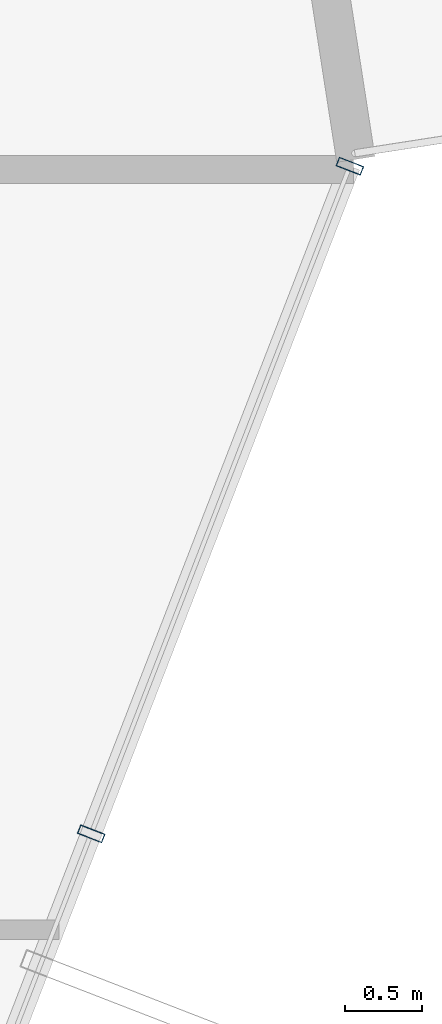
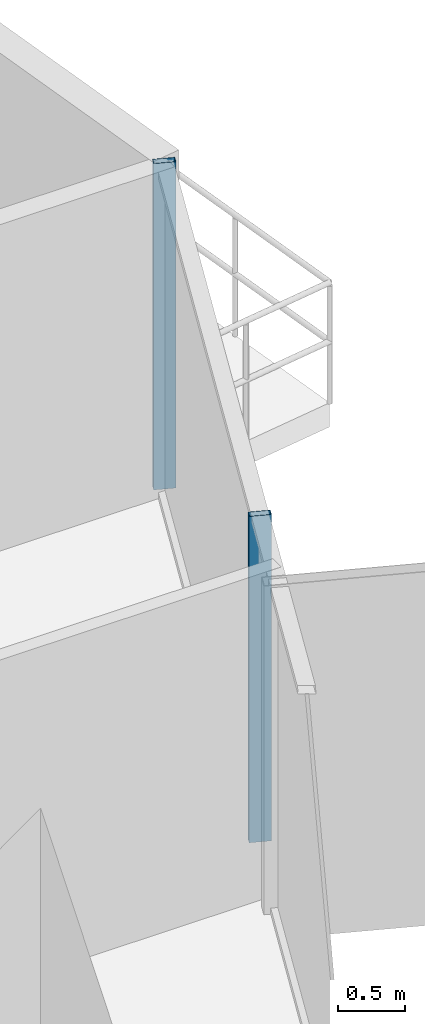
# One storey, part 18 of 37: 2 members, 1 element without a shape of its own.
"""IFC4 building model written with IfcOpenShell, lengths in metres."""

import ifcopenshell
import ifcopenshell.guid

model = None  # the IFC model being written
_history = None  # IfcOwnerHistory: only IFC2X3 demands one
_inside = {}  # id of a spatial element -> (the spatial element, [elements in it])
_under = {}  # id of a project, library or spatial element -> (it, [spatial elements below it])
_declared = {}  # id of a project -> (the project, [libraries it declares])
_typed = {}  # id of a type object -> (the type object, [elements of that type])
_made_of = {}  # id of a material, layer set ... -> (it, [elements and type objects made of it])


def new_model(schema):
    """Start an empty IFC model of exactly this schema.

    Asked for "IFC4X3", IfcOpenShell would pick the latest addendum, in which some entities
    have other attributes; the version numbers below select the first issue.
    IFC2X3 requires an IfcOwnerHistory on every rooted entity: one is made here for all.
    """
    global model, _history
    if schema == "IFC4X3":
        model = ifcopenshell.file(schema_version=(4, 3, 0, 0))
    else:
        model = ifcopenshell.file(schema=schema)
    _inside.clear()
    _under.clear()
    _declared.clear()
    _typed.clear()
    _made_of.clear()
    _history = None
    if model.schema == "IFC2X3":
        org = make("IfcOrganization", Name="unknown")
        user = make(
            "IfcPersonAndOrganization",
            ThePerson=make("IfcPerson", FamilyName="unknown"),
            TheOrganization=org,
        )
        app = make(
            "IfcApplication",
            ApplicationDeveloper=org,
            Version="unknown",
            ApplicationFullName="unknown",
            ApplicationIdentifier="unknown",
        )
        _history = make(
            "IfcOwnerHistory",
            OwningUser=user,
            OwningApplication=app,
            ChangeAction="ADDED",
            CreationDate=0,
        )
    return model


def make(cls, **values):
    """One entity of the class cls with the attributes given. An attribute that is None is left unset."""
    return model.create_entity(
        cls, **{name: value for name, value in values.items() if value is not None}
    )


def rooted(cls, **values):
    """An entity with a GlobalId (a new one), such as an element, a storey or a relation."""
    return make(cls, GlobalId=ifcopenshell.guid.new(), OwnerHistory=_history, **values)


def si_unit(unit_type, name, prefix=None):
    """IfcSIUnit, for example si_unit("LENGTHUNIT", "METRE", prefix="MILLI")."""
    return make("IfcSIUnit", UnitType=unit_type, Prefix=prefix, Name=name)


def assignment(units):
    """IfcUnitAssignment: the units of a project."""
    return None if units is None else make("IfcUnitAssignment", Units=units)


def point(xyz):
    """IfcCartesianPoint."""
    return None if xyz is None else make("IfcCartesianPoint", Coordinates=xyz)


def direction(xyz):
    """IfcDirection."""
    return None if xyz is None else make("IfcDirection", DirectionRatios=xyz)


def frame(location, z_axis=None, x_axis=None):
    """IfcAxis2Placement3D, a coordinate frame: its origin and axes. An axis left out is left unset."""
    return make(
        "IfcAxis2Placement3D",
        Location=point(location),
        Axis=direction(z_axis),
        RefDirection=direction(x_axis),
    )


def frame_2d(location, x_axis=None):
    """IfcAxis2Placement2D, a coordinate frame in the plane: its origin and x axis."""
    return make(
        "IfcAxis2Placement2D", Location=point(location), RefDirection=direction(x_axis)
    )


def origin():
    """The frame at (0, 0, 0) with its axes left unset."""
    return frame((0.0, 0.0, 0.0))


def origin_2d():
    """The frame at (0, 0) in the plane with its x axis left unset."""
    return frame_2d((0.0, 0.0))


def place(relative_to, where):
    """IfcLocalPlacement: puts the frame where relative to a parent placement (None: the world)."""
    return make(
        "IfcLocalPlacement", PlacementRelTo=relative_to, RelativePlacement=where
    )


def context(
    kind, dimensions, precision=None, world=None, true_north=None, identifier=None
):
    """IfcGeometricRepresentationContext, for example the 3D "Model" context."""
    return make(
        "IfcGeometricRepresentationContext",
        ContextIdentifier=identifier,
        ContextType=kind,
        CoordinateSpaceDimension=dimensions,
        Precision=precision,
        WorldCoordinateSystem=world,
        TrueNorth=true_north,
    )


def subcontext(parent, identifier, kind, view, scale=None):
    """IfcGeometricRepresentationSubContext, for example "Body" below "Model"."""
    return make(
        "IfcGeometricRepresentationSubContext",
        ContextIdentifier=identifier,
        ContextType=kind,
        ParentContext=parent,
        TargetScale=scale,
        TargetView=view,
    )


def project(units=None, contexts=None):
    """IfcProject with its units and contexts."""
    return rooted(
        "IfcProject",
        Name="project",
        RepresentationContexts=contexts,
        UnitsInContext=assignment(units),
    )


def spatial(cls, under=None, at=None, **own):
    """A site, building, storey or space (cls), placed at a placement, below another one or the project."""
    s = rooted(cls, ObjectPlacement=at, **own)
    if under is not None:
        _under.setdefault(under.id(), (under, []))[1].append(s)
    return s


def profile(cls, at=None, kind="AREA", **sizes):
    """A parametric profile (cls). Its sizes go by their IFC names, for example OverallWidth=200.0."""
    return make(cls, ProfileType=kind, Position=at, **sizes)


def hollow_rectangle(**sizes):
    """IfcRectangleHollowProfileDef."""
    return profile("IfcRectangleHollowProfileDef", **sizes)


def extrude(swept, where, along, depth):
    """IfcExtrudedAreaSolid: the profile swept, set in the frame where, extruded along a direction by depth."""
    return make(
        "IfcExtrudedAreaSolid",
        SweptArea=swept,
        Position=where,
        ExtrudedDirection=direction(along),
        Depth=depth,
    )


def shape(context_of_items, identifier, shape_type, items):
    """IfcShapeRepresentation: the items that make up one representation, for example the "Body"."""
    return make(
        "IfcShapeRepresentation",
        ContextOfItems=context_of_items,
        RepresentationIdentifier=identifier,
        RepresentationType=shape_type,
        Items=items,
    )


def source(mapping_origin, context_of_items, identifier, shape_type, items):
    """IfcRepresentationMap: a shape defined once, which mapped items show again and again."""
    return make(
        "IfcRepresentationMap",
        MappingOrigin=mapping_origin,
        MappedRepresentation=shape(context_of_items, identifier, shape_type, items),
    )


def transform(
    local_origin,
    x_axis=None,
    y_axis=None,
    z_axis=None,
    scale=None,
    scale2=None,
    scale3=None,
    uniform=True,
):
    """IfcCartesianTransformationOperator3D, or its non-uniform kind. x_axis, y_axis, z_axis: its Axis1, 2, 3."""
    if uniform:
        return make(
            "IfcCartesianTransformationOperator3D",
            Axis1=direction(x_axis),
            Axis2=direction(y_axis),
            LocalOrigin=point(local_origin),
            Scale=scale,
            Axis3=direction(z_axis),
        )
    return make(
        "IfcCartesianTransformationOperator3DnonUniform",
        Axis1=direction(x_axis),
        Axis2=direction(y_axis),
        LocalOrigin=point(local_origin),
        Scale=scale,
        Axis3=direction(z_axis),
        Scale2=scale2,
        Scale3=scale3,
    )


def mapped(mapping_source, mapping_target):
    """IfcMappedItem: shows the shape of a source again, moved by a transform."""
    return make(
        "IfcMappedItem", MappingSource=mapping_source, MappingTarget=mapping_target
    )


def material(Name=None, Category=None):
    """IfcMaterial."""
    return make("IfcMaterial", Name=Name, Category=Category)


def layer(
    of_material, thickness, ventilated=None, Name=None, Category=None, Priority=None
):
    """IfcMaterialLayer: one layer of a wall or slab, of a material (None: an air gap)."""
    return make(
        "IfcMaterialLayer",
        Material=of_material,
        LayerThickness=thickness,
        IsVentilated=ventilated,
        Name=Name,
        Category=Category,
        Priority=Priority,
    )


def layer_set(layers, Name=None):
    """IfcMaterialLayerSet."""
    return make("IfcMaterialLayerSet", MaterialLayers=layers, LayerSetName=Name)


def material_profile(
    of_material, cross_section, Name=None, Category=None, Priority=None
):
    """IfcMaterialProfile: a cross section and its material."""
    return make(
        "IfcMaterialProfile",
        Name=Name,
        Material=of_material,
        Profile=cross_section,
        Priority=Priority,
        Category=Category,
    )


def profile_set(profiles, Name=None, composite=None):
    """IfcMaterialProfileSet."""
    return make(
        "IfcMaterialProfileSet",
        Name=Name,
        MaterialProfiles=profiles,
        CompositeProfile=composite,
    )


def made_of(thing, what):
    """Note that an element or type object is made of a material, layer set ...; save() writes the relation."""
    if what is not None:
        _made_of.setdefault(what.id(), (what, []))[1].append(thing)
    return thing


def type_object(cls, material=None, **own):
    """A type object (cls), such as IfcWallType, which elements share."""
    return made_of(rooted(cls, **own), material)


def element(
    cls,
    number,
    at=None,
    inside=None,
    cuts=None,
    type_object=None,
    material=None,
    context=None,
    identifier="Body",
    shape_type=None,
    held_by="IfcProductDefinitionShape",
    body=None,
    shapes=None,
    **own,
):
    """One element of the class cls, such as IfcWall. Its Tag is "e" and its number.

    at: its placement. inside: the storey or other place that contains it. cuts: it is an
    opening in that element (IfcRelVoidsElement). A single representation is given by context,
    identifier, shape_type and body (its items); several are given by shapes. held_by: the class
    of the entity that holds the representations. save() writes the other relations.
    """
    e = rooted(cls, Tag="e%d" % number, ObjectPlacement=at, **own)
    if body is not None:
        shapes = [shape(context, identifier, shape_type, body)]
    if shapes is not None:
        e.Representation = make(held_by, Representations=shapes)
    if inside is not None:
        _inside.setdefault(inside.id(), (inside, []))[1].append(e)
    if cuts is not None:
        rooted(
            "IfcRelVoidsElement", RelatingBuildingElement=cuts, RelatedOpeningElement=e
        )
    if type_object is not None:
        _typed.setdefault(type_object.id(), (type_object, []))[1].append(e)
    return made_of(e, material)


def aggregate(whole, parts):
    """IfcRelAggregates: a whole, such as a stair, and the parts it consists of."""
    return rooted("IfcRelAggregates", RelatingObject=whole, RelatedObjects=parts)


def save(model, path):
    """Write the relations noted so far, then the file.

    IfcRelAggregates (storeys below a building ...), IfcRelContainedInSpatialStructure (elements
    in a storey), IfcRelDefinesByType, IfcRelAssociatesMaterial and IfcRelDeclares: one each for
    every whole, place, type object, material and project.
    """
    for whole, parts in _under.values():
        aggregate(whole, parts)
    for where, things in _inside.values():
        rooted(
            "IfcRelContainedInSpatialStructure",
            RelatedElements=things,
            RelatingStructure=where,
        )
    for kind, things in _typed.values():
        rooted("IfcRelDefinesByType", RelatedObjects=things, RelatingType=kind)
    for what, things in _made_of.values():
        rooted("IfcRelAssociatesMaterial", RelatedObjects=things, RelatingMaterial=what)
    for by, libraries in _declared.values():
        rooted("IfcRelDeclares", RelatingContext=by, RelatedDefinitions=libraries)
    model.write(path)


model = new_model("IFC4")

# Units and contexts
model_context = context("Model", 3, precision=1e-05, world=origin(), true_north=direction((0.0, 1.0)))
body_context = subcontext(model_context, "Body", "Model", "MODEL_VIEW")
ifc_project = project(units=[si_unit("LENGTHUNIT", "METRE"), si_unit("AREAUNIT", "SQUARE_METRE"), si_unit("VOLUMEUNIT", "CUBIC_METRE"), si_unit("PLANEANGLEUNIT", "RADIAN"), si_unit("MASSUNIT", "GRAM", prefix="KILO")], contexts=[model_context])

# Site, building, storey
site_placement = place(None, origin())
site = spatial("IfcSite", under=ifc_project, at=site_placement, CompositionType="ELEMENT")
building_placement = place(site_placement, origin())
building = spatial("IfcBuilding", under=site, at=building_placement, Name="Veraguas Prism Commons", CompositionType="ELEMENT")
storey_placement = place(building_placement, frame((0.0, 0.0, 53.300048828125)))
storey = spatial("IfcBuildingStorey", under=building, at=storey_placement, Name="L14", CompositionType="ELEMENT", Elevation=53.300048828125)

# Curtain wall, members
ifc_material = material(Name="Anodised aluminium EN AW-6063 T6", Category="aluminium")
ifc_layer = layer(ifc_material, 0.169921875, Name="Unitised Flush Curtain Wall Zone 1", Category="aluminium")
ifc_layer_set = layer_set([ifc_layer], Name="Anodised aluminium EN AW-6063 T6")
curtain_wall_type = type_object("IfcCurtainWallType", Name="Unitised Flush Curtain Wall Zone 1", PredefinedType="NOTDEFINED", material=ifc_layer_set)
curtain_wall_placement = place(storey_placement, origin())
curtain_wall = element("IfcCurtainWall", 1, at=curtain_wall_placement, inside=storey, type_object=curtain_wall_type, Name="Tower Facade Curtain Wall L14-F6", PredefinedType="NOTDEFINED")
ifc_material_profile = material_profile(ifc_material, hollow_rectangle(XDim=0.06005859375, YDim=0.169921875, WallThickness=0.00390625, at=origin_2d()), Name="AL60X170X4")
ifc_profile_set = profile_set([ifc_material_profile], Name="Anodised aluminium EN AW-6063 T6")
member_type = type_object("IfcMemberType", Name="Curtain Wall Mullion Lower AL 60x170x4", PredefinedType="MULLION", material=ifc_profile_set)
shared_shape = source(origin(), body_context, "Body", "SweptSolid", [
    extrude(hollow_rectangle(XDim=0.06005859375, YDim=0.169921875, WallThickness=0.00390625, at=origin_2d()), origin(), (0.0, 0.0, 1.0), 2.969970703125),
])
member_1_placement = place(storey_placement, frame((45.068115234375, 20.845947265625, 0.0), z_axis=(0.0, 0.0, 1.0), x_axis=(0.361294223355, 0.932451866946, 0.0)))
member_1 = element("IfcMember", 2, at=member_1_placement, type_object=member_type, Name="CW-Z1 Mullion 4", PredefinedType="MULLION", context=body_context, shape_type="MappedRepresentation", body=[
    mapped(shared_shape, transform((0.0, 0.0, 0.0), scale=1.0)),
])
member_2_placement = place(storey_placement, frame((46.744873046875, 25.173583984375, 0.0), z_axis=(0.0, 0.0, 1.0), x_axis=(0.361294223355, 0.932451866946, 0.0)))
member_2 = element("IfcMember", 3, at=member_2_placement, type_object=member_type, Name="CW-Z1 Mullion 5", PredefinedType="MULLION", context=body_context, shape_type="MappedRepresentation", body=[
    mapped(shared_shape, transform((0.0, 0.0, 0.0), scale=1.0)),
])
aggregate(curtain_wall, [member_1, member_2])

save(model, "model.ifc")
